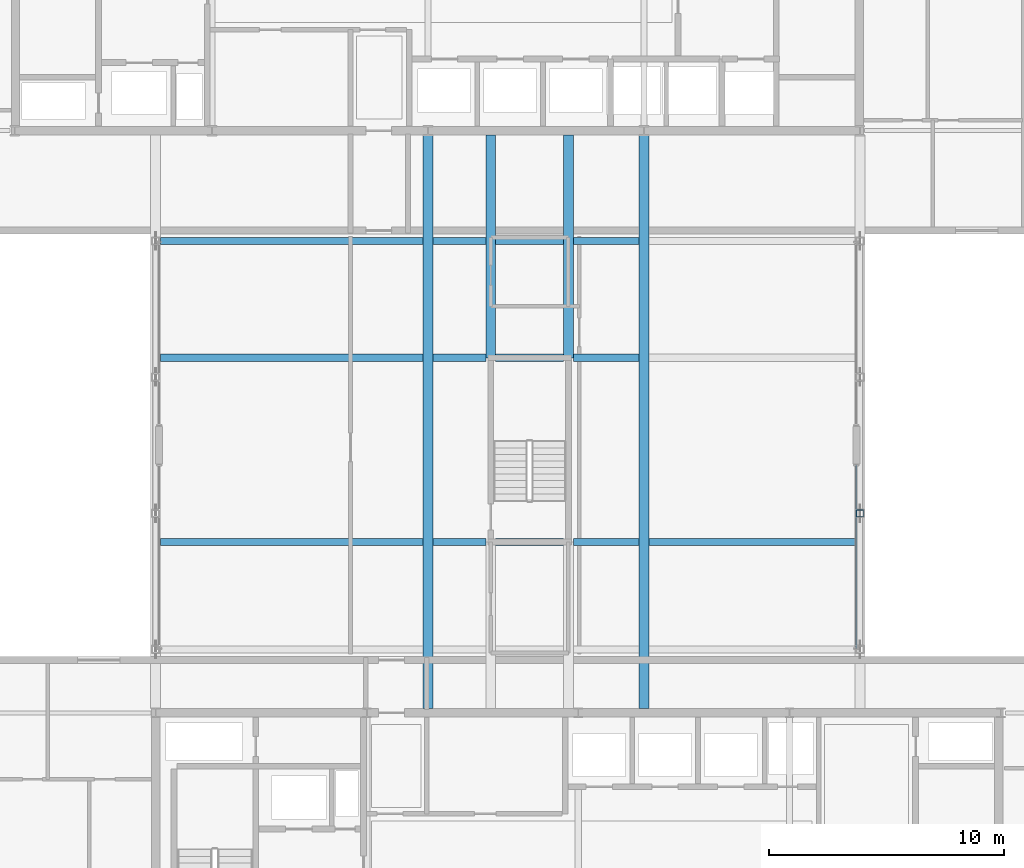
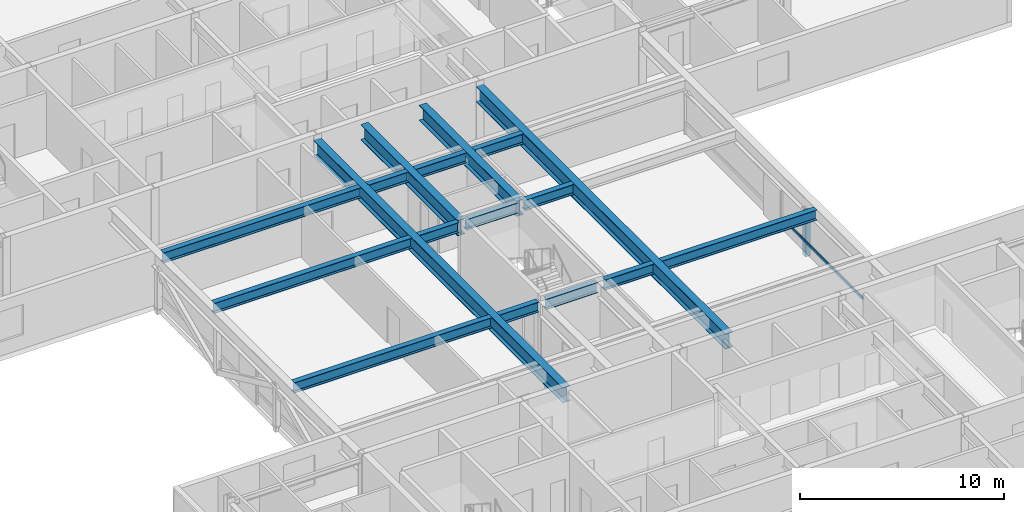
# One storey, part 9 of 35: 17 beams, 2 members, 1 element without a shape of its own.
"""IFC4 building model written with IfcOpenShell, lengths in metres."""

import ifcopenshell
import ifcopenshell.guid

model = None  # the IFC model being written
_history = None  # IfcOwnerHistory: only IFC2X3 demands one
_inside = {}  # id of a spatial element -> (the spatial element, [elements in it])
_under = {}  # id of a project, library or spatial element -> (it, [spatial elements below it])
_declared = {}  # id of a project -> (the project, [libraries it declares])
_typed = {}  # id of a type object -> (the type object, [elements of that type])
_made_of = {}  # id of a material, layer set ... -> (it, [elements and type objects made of it])


def new_model(schema):
    """Start an empty IFC model of exactly this schema.

    Asked for "IFC4X3", IfcOpenShell would pick the latest addendum, in which some entities
    have other attributes; the version numbers below select the first issue.
    IFC2X3 requires an IfcOwnerHistory on every rooted entity: one is made here for all.
    """
    global model, _history
    if schema == "IFC4X3":
        model = ifcopenshell.file(schema_version=(4, 3, 0, 0))
    else:
        model = ifcopenshell.file(schema=schema)
    _inside.clear()
    _under.clear()
    _declared.clear()
    _typed.clear()
    _made_of.clear()
    _history = None
    if model.schema == "IFC2X3":
        org = make("IfcOrganization", Name="unknown")
        user = make(
            "IfcPersonAndOrganization",
            ThePerson=make("IfcPerson", FamilyName="unknown"),
            TheOrganization=org,
        )
        app = make(
            "IfcApplication",
            ApplicationDeveloper=org,
            Version="unknown",
            ApplicationFullName="unknown",
            ApplicationIdentifier="unknown",
        )
        _history = make(
            "IfcOwnerHistory",
            OwningUser=user,
            OwningApplication=app,
            ChangeAction="ADDED",
            CreationDate=0,
        )
    return model


def make(cls, **values):
    """One entity of the class cls with the attributes given. An attribute that is None is left unset."""
    return model.create_entity(
        cls, **{name: value for name, value in values.items() if value is not None}
    )


def rooted(cls, **values):
    """An entity with a GlobalId (a new one), such as an element, a storey or a relation."""
    return make(cls, GlobalId=ifcopenshell.guid.new(), OwnerHistory=_history, **values)


def si_unit(unit_type, name, prefix=None):
    """IfcSIUnit, for example si_unit("LENGTHUNIT", "METRE", prefix="MILLI")."""
    return make("IfcSIUnit", UnitType=unit_type, Prefix=prefix, Name=name)


def assignment(units):
    """IfcUnitAssignment: the units of a project."""
    return None if units is None else make("IfcUnitAssignment", Units=units)


def point(xyz):
    """IfcCartesianPoint."""
    return None if xyz is None else make("IfcCartesianPoint", Coordinates=xyz)


def direction(xyz):
    """IfcDirection."""
    return None if xyz is None else make("IfcDirection", DirectionRatios=xyz)


def frame(location, z_axis=None, x_axis=None):
    """IfcAxis2Placement3D, a coordinate frame: its origin and axes. An axis left out is left unset."""
    return make(
        "IfcAxis2Placement3D",
        Location=point(location),
        Axis=direction(z_axis),
        RefDirection=direction(x_axis),
    )


def frame_2d(location, x_axis=None):
    """IfcAxis2Placement2D, a coordinate frame in the plane: its origin and x axis."""
    return make(
        "IfcAxis2Placement2D", Location=point(location), RefDirection=direction(x_axis)
    )


def origin():
    """The frame at (0, 0, 0) with its axes left unset."""
    return frame((0.0, 0.0, 0.0))


def origin_2d():
    """The frame at (0, 0) in the plane with its x axis left unset."""
    return frame_2d((0.0, 0.0))


def place(relative_to, where):
    """IfcLocalPlacement: puts the frame where relative to a parent placement (None: the world)."""
    return make(
        "IfcLocalPlacement", PlacementRelTo=relative_to, RelativePlacement=where
    )


def context(
    kind, dimensions, precision=None, world=None, true_north=None, identifier=None
):
    """IfcGeometricRepresentationContext, for example the 3D "Model" context."""
    return make(
        "IfcGeometricRepresentationContext",
        ContextIdentifier=identifier,
        ContextType=kind,
        CoordinateSpaceDimension=dimensions,
        Precision=precision,
        WorldCoordinateSystem=world,
        TrueNorth=true_north,
    )


def subcontext(parent, identifier, kind, view, scale=None):
    """IfcGeometricRepresentationSubContext, for example "Body" below "Model"."""
    return make(
        "IfcGeometricRepresentationSubContext",
        ContextIdentifier=identifier,
        ContextType=kind,
        ParentContext=parent,
        TargetScale=scale,
        TargetView=view,
    )


def project(units=None, contexts=None):
    """IfcProject with its units and contexts."""
    return rooted(
        "IfcProject",
        Name="project",
        RepresentationContexts=contexts,
        UnitsInContext=assignment(units),
    )


def spatial(cls, under=None, at=None, **own):
    """A site, building, storey or space (cls), placed at a placement, below another one or the project."""
    s = rooted(cls, ObjectPlacement=at, **own)
    if under is not None:
        _under.setdefault(under.id(), (under, []))[1].append(s)
    return s


def profile(cls, at=None, kind="AREA", **sizes):
    """A parametric profile (cls). Its sizes go by their IFC names, for example OverallWidth=200.0."""
    return make(cls, ProfileType=kind, Position=at, **sizes)


def hollow_rectangle(**sizes):
    """IfcRectangleHollowProfileDef."""
    return profile("IfcRectangleHollowProfileDef", **sizes)


def i_section(**sizes):
    """IfcIShapeProfileDef."""
    return profile("IfcIShapeProfileDef", **sizes)


def extrude(swept, where, along, depth):
    """IfcExtrudedAreaSolid: the profile swept, set in the frame where, extruded along a direction by depth."""
    return make(
        "IfcExtrudedAreaSolid",
        SweptArea=swept,
        Position=where,
        ExtrudedDirection=direction(along),
        Depth=depth,
    )


def shape(context_of_items, identifier, shape_type, items):
    """IfcShapeRepresentation: the items that make up one representation, for example the "Body"."""
    return make(
        "IfcShapeRepresentation",
        ContextOfItems=context_of_items,
        RepresentationIdentifier=identifier,
        RepresentationType=shape_type,
        Items=items,
    )


def material(Name=None, Category=None):
    """IfcMaterial."""
    return make("IfcMaterial", Name=Name, Category=Category)


def layer(
    of_material, thickness, ventilated=None, Name=None, Category=None, Priority=None
):
    """IfcMaterialLayer: one layer of a wall or slab, of a material (None: an air gap)."""
    return make(
        "IfcMaterialLayer",
        Material=of_material,
        LayerThickness=thickness,
        IsVentilated=ventilated,
        Name=Name,
        Category=Category,
        Priority=Priority,
    )


def layer_set(layers, Name=None):
    """IfcMaterialLayerSet."""
    return make("IfcMaterialLayerSet", MaterialLayers=layers, LayerSetName=Name)


def material_profile(
    of_material, cross_section, Name=None, Category=None, Priority=None
):
    """IfcMaterialProfile: a cross section and its material."""
    return make(
        "IfcMaterialProfile",
        Name=Name,
        Material=of_material,
        Profile=cross_section,
        Priority=Priority,
        Category=Category,
    )


def profile_set(profiles, Name=None, composite=None):
    """IfcMaterialProfileSet."""
    return make(
        "IfcMaterialProfileSet",
        Name=Name,
        MaterialProfiles=profiles,
        CompositeProfile=composite,
    )


def made_of(thing, what):
    """Note that an element or type object is made of a material, layer set ...; save() writes the relation."""
    if what is not None:
        _made_of.setdefault(what.id(), (what, []))[1].append(thing)
    return thing


def type_object(cls, material=None, **own):
    """A type object (cls), such as IfcWallType, which elements share."""
    return made_of(rooted(cls, **own), material)


def element(
    cls,
    number,
    at=None,
    inside=None,
    cuts=None,
    type_object=None,
    material=None,
    context=None,
    identifier="Body",
    shape_type=None,
    held_by="IfcProductDefinitionShape",
    body=None,
    shapes=None,
    **own,
):
    """One element of the class cls, such as IfcWall. Its Tag is "e" and its number.

    at: its placement. inside: the storey or other place that contains it. cuts: it is an
    opening in that element (IfcRelVoidsElement). A single representation is given by context,
    identifier, shape_type and body (its items); several are given by shapes. held_by: the class
    of the entity that holds the representations. save() writes the other relations.
    """
    e = rooted(cls, Tag="e%d" % number, ObjectPlacement=at, **own)
    if body is not None:
        shapes = [shape(context, identifier, shape_type, body)]
    if shapes is not None:
        e.Representation = make(held_by, Representations=shapes)
    if inside is not None:
        _inside.setdefault(inside.id(), (inside, []))[1].append(e)
    if cuts is not None:
        rooted(
            "IfcRelVoidsElement", RelatingBuildingElement=cuts, RelatedOpeningElement=e
        )
    if type_object is not None:
        _typed.setdefault(type_object.id(), (type_object, []))[1].append(e)
    return made_of(e, material)


def aggregate(whole, parts):
    """IfcRelAggregates: a whole, such as a stair, and the parts it consists of."""
    return rooted("IfcRelAggregates", RelatingObject=whole, RelatedObjects=parts)


def save(model, path):
    """Write the relations noted so far, then the file.

    IfcRelAggregates (storeys below a building ...), IfcRelContainedInSpatialStructure (elements
    in a storey), IfcRelDefinesByType, IfcRelAssociatesMaterial and IfcRelDeclares: one each for
    every whole, place, type object, material and project.
    """
    for whole, parts in _under.values():
        aggregate(whole, parts)
    for where, things in _inside.values():
        rooted(
            "IfcRelContainedInSpatialStructure",
            RelatedElements=things,
            RelatingStructure=where,
        )
    for kind, things in _typed.values():
        rooted("IfcRelDefinesByType", RelatedObjects=things, RelatingType=kind)
    for what, things in _made_of.values():
        rooted("IfcRelAssociatesMaterial", RelatedObjects=things, RelatingMaterial=what)
    for by, libraries in _declared.values():
        rooted("IfcRelDeclares", RelatingContext=by, RelatedDefinitions=libraries)
    model.write(path)


model = new_model("IFC4")

# Units and contexts
model_context = context("Model", 3, precision=1e-05, world=origin(), true_north=direction((0.0, 1.0)))
body_context = subcontext(model_context, "Body", "Model", "MODEL_VIEW")
ifc_project = project(units=[si_unit("LENGTHUNIT", "METRE"), si_unit("AREAUNIT", "SQUARE_METRE"), si_unit("VOLUMEUNIT", "CUBIC_METRE"), si_unit("PLANEANGLEUNIT", "RADIAN"), si_unit("MASSUNIT", "GRAM", prefix="KILO")], contexts=[model_context])

# Site, building, storey
site_placement = place(None, origin())
site = spatial("IfcSite", under=ifc_project, at=site_placement, CompositionType="ELEMENT")
building_placement = place(site_placement, origin())
building = spatial("IfcBuilding", under=site, at=building_placement, Name="Korimba Cascade Residences", CompositionType="ELEMENT")
storey_placement = place(building_placement, frame((0.0, 0.0, 150.10009765625)))
storey = spatial("IfcBuildingStorey", under=building, at=storey_placement, Name="L43", CompositionType="ELEMENT", Elevation=150.10009765625)

# Beams
ifc_material_1 = material(Name="Steel S355", Category="steel")
ifc_material_profile_1 = material_profile(ifc_material_1, i_section(OverallWidth=0.30712890625, OverallDepth=0.6201171875, WebThickness=0.01416015625, FlangeThickness=0.023681640625, FilletRadius=0.0166015625, at=origin_2d()), Name="Steel S355")
ifc_profile_set_1 = profile_set([ifc_material_profile_1], Name="Steel S355")
beam_type_1 = type_object("IfcBeamType", Name="BM-STL-UB610A", PredefinedType="BEAM", material=ifc_profile_set_1)
beam_1_placement = place(storey_placement, frame((82.30908203125, 37.675048828125, 2.999755859375), z_axis=(1.0, 0.0, 0.0), x_axis=(0.0, 1.0, 0.0)))
element("IfcBeam", 1, at=beam_1_placement, inside=storey, type_object=beam_type_1, Name="L43 Mid-Bridge Cross Beam 37.1", PredefinedType="BEAM", context=body_context, shape_type="SweptSolid", body=[
    extrude(i_section(OverallWidth=0.30712890625, OverallDepth=0.6201171875, WebThickness=0.01416015625, FlangeThickness=0.023681640625, FilletRadius=0.0166015625, at=origin_2d()), origin(), (0.0, 0.0, 1.0), 11.181884765625),
])
beam_2_placement = place(storey_placement, frame((93.908935546875, 37.675048828125, 2.999755859375), z_axis=(1.0, 0.0, 0.0), x_axis=(0.0, 1.0, 0.0)))
element("IfcBeam", 2, at=beam_2_placement, inside=storey, type_object=beam_type_1, Name="L43 Mid-Bridge Cross Beam 37.2", PredefinedType="BEAM", context=body_context, shape_type="SweptSolid", body=[
    extrude(i_section(OverallWidth=0.30712890625, OverallDepth=0.6201171875, WebThickness=0.01416015625, FlangeThickness=0.023681640625, FilletRadius=0.0166015625, at=origin_2d()), origin(), (0.0, 0.0, 1.0), 2.257080078125),
])
beam_3_placement = place(storey_placement, frame((96.583984375, 37.675048828125, 2.999755859375), z_axis=(1.0, 0.0, 0.0), x_axis=(0.0, 1.0, 0.0)))
element("IfcBeam", 3, at=beam_3_placement, inside=storey, type_object=beam_type_1, Name="L43 Mid-Bridge Cross Beam 37.3", PredefinedType="BEAM", context=body_context, shape_type="SweptSolid", body=[
    extrude(i_section(OverallWidth=0.30712890625, OverallDepth=0.6201171875, WebThickness=0.01416015625, FlangeThickness=0.023681640625, FilletRadius=0.0166015625, at=origin_2d()), origin(), (0.0, 0.0, 1.0), 2.89208984375),
])
beam_4_placement = place(storey_placement, frame((99.89404296875, 37.675048828125, 2.999755859375), z_axis=(1.0, 0.0, 0.0), x_axis=(0.0, 1.0, 0.0)))
element("IfcBeam", 4, at=beam_4_placement, inside=storey, type_object=beam_type_1, Name="L43 Mid-Bridge Cross Beam 37.4", PredefinedType="BEAM", context=body_context, shape_type="SweptSolid", body=[
    extrude(i_section(OverallWidth=0.30712890625, OverallDepth=0.6201171875, WebThickness=0.01416015625, FlangeThickness=0.023681640625, FilletRadius=0.0166015625, at=origin_2d()), origin(), (0.0, 0.0, 1.0), 2.796875),
])
beam_5_placement = place(storey_placement, frame((103.10888671875, 37.675048828125, 2.999755859375), z_axis=(1.0, 0.0, 0.0), x_axis=(0.0, 1.0, 0.0)))
element("IfcBeam", 5, at=beam_5_placement, inside=storey, type_object=beam_type_1, Name="L43 Mid-Bridge Cross Beam 37.5", PredefinedType="BEAM", context=body_context, shape_type="SweptSolid", body=[
    extrude(i_section(OverallWidth=0.30712890625, OverallDepth=0.6201171875, WebThickness=0.01416015625, FlangeThickness=0.023681640625, FilletRadius=0.0166015625, at=origin_2d()), origin(), (0.0, 0.0, 1.0), 8.7822265625),
])
beam_6_placement = place(storey_placement, frame((82.30908203125, 45.52490234375, 2.999755859375), z_axis=(1.0, 0.0, 0.0), x_axis=(0.0, 1.0, 0.0)))
element("IfcBeam", 6, at=beam_6_placement, inside=storey, type_object=beam_type_1, Name="L43 Mid-Bridge Cross Beam 45.1", PredefinedType="BEAM", context=body_context, shape_type="SweptSolid", body=[
    extrude(i_section(OverallWidth=0.30712890625, OverallDepth=0.6201171875, WebThickness=0.01416015625, FlangeThickness=0.023681640625, FilletRadius=0.0166015625, at=origin_2d()), origin(), (0.0, 0.0, 1.0), 11.181884765625),
])
beam_7_placement = place(storey_placement, frame((93.908935546875, 45.52490234375, 2.999755859375), z_axis=(1.0, 0.0, 0.0), x_axis=(0.0, 1.0, 0.0)))
element("IfcBeam", 7, at=beam_7_placement, inside=storey, type_object=beam_type_1, Name="L43 Mid-Bridge Cross Beam 45.2", PredefinedType="BEAM", context=body_context, shape_type="SweptSolid", body=[
    extrude(i_section(OverallWidth=0.30712890625, OverallDepth=0.6201171875, WebThickness=0.01416015625, FlangeThickness=0.023681640625, FilletRadius=0.0166015625, at=origin_2d()), origin(), (0.0, 0.0, 1.0), 2.257080078125),
])
beam_8_placement = place(storey_placement, frame((96.583984375, 45.52490234375, 2.999755859375), z_axis=(1.0, 0.0, 0.0), x_axis=(0.0, 1.0, 0.0)))
element("IfcBeam", 8, at=beam_8_placement, inside=storey, type_object=beam_type_1, Name="L43 Mid-Bridge Cross Beam 45.3", PredefinedType="BEAM", context=body_context, shape_type="SweptSolid", body=[
    extrude(i_section(OverallWidth=0.30712890625, OverallDepth=0.6201171875, WebThickness=0.01416015625, FlangeThickness=0.023681640625, FilletRadius=0.0166015625, at=origin_2d()), origin(), (0.0, 0.0, 1.0), 2.89208984375),
])
beam_9_placement = place(storey_placement, frame((99.89404296875, 45.52490234375, 2.999755859375), z_axis=(1.0, 0.0, 0.0), x_axis=(0.0, 1.0, 0.0)))
element("IfcBeam", 9, at=beam_9_placement, inside=storey, type_object=beam_type_1, Name="L43 Mid-Bridge Cross Beam 45.4", PredefinedType="BEAM", context=body_context, shape_type="SweptSolid", body=[
    extrude(i_section(OverallWidth=0.30712890625, OverallDepth=0.6201171875, WebThickness=0.01416015625, FlangeThickness=0.023681640625, FilletRadius=0.0166015625, at=origin_2d()), origin(), (0.0, 0.0, 1.0), 2.796875),
])
beam_10_placement = place(storey_placement, frame((82.30908203125, 50.5, 2.999755859375), z_axis=(1.0, 0.0, 0.0), x_axis=(0.0, 1.0, 0.0)))
element("IfcBeam", 10, at=beam_10_placement, inside=storey, type_object=beam_type_1, Name="L43 Mid-Bridge Cross Beam 50.1", PredefinedType="BEAM", context=body_context, shape_type="SweptSolid", body=[
    extrude(i_section(OverallWidth=0.30712890625, OverallDepth=0.6201171875, WebThickness=0.01416015625, FlangeThickness=0.023681640625, FilletRadius=0.0166015625, at=origin_2d()), origin(), (0.0, 0.0, 1.0), 11.181884765625),
])
beam_11_placement = place(storey_placement, frame((93.908935546875, 50.5, 2.999755859375), z_axis=(1.0, 0.0, 0.0), x_axis=(0.0, 1.0, 0.0)))
element("IfcBeam", 11, at=beam_11_placement, inside=storey, type_object=beam_type_1, Name="L43 Mid-Bridge Cross Beam 50.2", PredefinedType="BEAM", context=body_context, shape_type="SweptSolid", body=[
    extrude(i_section(OverallWidth=0.30712890625, OverallDepth=0.6201171875, WebThickness=0.01416015625, FlangeThickness=0.023681640625, FilletRadius=0.0166015625, at=origin_2d()), origin(), (0.0, 0.0, 1.0), 2.257080078125),
])
beam_12_placement = place(storey_placement, frame((96.583984375, 50.5, 2.999755859375), z_axis=(1.0, 0.0, 0.0), x_axis=(0.0, 1.0, 0.0)))
element("IfcBeam", 12, at=beam_12_placement, inside=storey, type_object=beam_type_1, Name="L43 Mid-Bridge Cross Beam 50.3", PredefinedType="BEAM", context=body_context, shape_type="SweptSolid", body=[
    extrude(i_section(OverallWidth=0.30712890625, OverallDepth=0.6201171875, WebThickness=0.01416015625, FlangeThickness=0.023681640625, FilletRadius=0.0166015625, at=origin_2d()), origin(), (0.0, 0.0, 1.0), 2.89208984375),
])
beam_13_placement = place(storey_placement, frame((99.89404296875, 50.5, 2.999755859375), z_axis=(1.0, 0.0, 0.0), x_axis=(0.0, 1.0, 0.0)))
element("IfcBeam", 13, at=beam_13_placement, inside=storey, type_object=beam_type_1, Name="L43 Mid-Bridge Cross Beam 50.4", PredefinedType="BEAM", context=body_context, shape_type="SweptSolid", body=[
    extrude(i_section(OverallWidth=0.30712890625, OverallDepth=0.6201171875, WebThickness=0.01416015625, FlangeThickness=0.023681640625, FilletRadius=0.0166015625, at=origin_2d()), origin(), (0.0, 0.0, 1.0), 2.796875),
])
ifc_material_2 = material(Name="Steel S460", Category="steel")
ifc_material_profile_2 = material_profile(ifc_material_2, i_section(OverallWidth=0.42041015625, OverallDepth=0.9208984375, WebThickness=0.021484375, FlangeThickness=0.03662109375, FilletRadius=0.02392578125, at=origin_2d()), Name="Steel S460")
ifc_profile_set_2 = profile_set([ifc_material_profile_2], Name="Steel S460")
beam_type_2 = type_object("IfcBeamType", Name="BM-STL-UB914A", PredefinedType="BEAM", material=ifc_profile_set_2)
beam_14_placement = place(storey_placement, frame((93.699951171875, 30.574951171875, 2.849365234375), z_axis=(0.0, 1.0, 0.0), x_axis=(-1.0, 0.0, 0.0)))
element("IfcBeam", 14, at=beam_14_placement, inside=storey, type_object=beam_type_2, Name="L43 Rigid Mid-Bridge Truss Chord 2", PredefinedType="BEAM", context=body_context, shape_type="SweptSolid", body=[
    extrude(i_section(OverallWidth=0.42041015625, OverallDepth=0.9208984375, WebThickness=0.021484375, FlangeThickness=0.03662109375, FilletRadius=0.02392578125, at=origin_2d()), origin(), (0.0, 0.0, 1.0), 24.449951171875),
])
for number, where, z_axis, x_axis, name in (
    (15, (96.375, 45.52490234375, 2.849365234375), (0.0, 1.0, 0.0), (-1.0, 0.0, 0.0), "L43 Rigid Mid-Bridge Truss Chord 3"),
    (16, (99.68505859375, 45.52490234375, 2.849365234375), (0.0, 1.0, 0.0), (-1.0, 0.0, 0.0), "L43 Rigid Mid-Bridge Truss Chord 4"),
):
    element("IfcBeam", number, at=place(storey_placement, frame(where, z_axis=z_axis, x_axis=x_axis)), inside=storey, type_object=beam_type_2, Name=name, PredefinedType="BEAM", context=body_context, shape_type="SweptSolid", body=[
        extrude(i_section(OverallWidth=0.42041015625, OverallDepth=0.9208984375, WebThickness=0.021484375, FlangeThickness=0.03662109375, FilletRadius=0.02392578125, at=origin_2d()), origin(), (0.0, 0.0, 1.0), 9.5),
    ])
beam_15_placement = place(storey_placement, frame((102.89990234375, 30.574951171875, 2.849365234375), z_axis=(0.0, 1.0, 0.0), x_axis=(-1.0, 0.0, 0.0)))
element("IfcBeam", 17, at=beam_15_placement, inside=storey, type_object=beam_type_2, Name="L43 Rigid Mid-Bridge Truss Chord 5", PredefinedType="BEAM", context=body_context, shape_type="SweptSolid", body=[
    extrude(i_section(OverallWidth=0.42041015625, OverallDepth=0.9208984375, WebThickness=0.021484375, FlangeThickness=0.03662109375, FilletRadius=0.02392578125, at=origin_2d()), origin(), (0.0, 0.0, 1.0), 24.449951171875),
])

# Curtain wall, member
ifc_material_3 = material(Name="Anodised Aluminium Curtain Wall Framing", Category="aluminium")
ifc_layer = layer(ifc_material_3, 0.179931640625)
ifc_layer_set = layer_set([ifc_layer], Name="Anodised Aluminium Curtain Wall Framing")
curtain_wall_type = type_object("IfcCurtainWallType", Name="CW-OBS-SYS4", PredefinedType="NOTDEFINED", material=ifc_layer_set)
curtain_wall_placement = place(storey_placement, origin())
curtain_wall = element("IfcCurtainWall", 18, at=curtain_wall_placement, inside=storey, type_object=curtain_wall_type, Name="L43 Curtain Wall CW-L43-BRG-E1", PredefinedType="NOTDEFINED")
ifc_material_4 = material(Name="Anodised Aluminium Transom", Category="aluminium")
ifc_material_profile_3 = material_profile(ifc_material_4, hollow_rectangle(XDim=0.070068359375, YDim=0.179931640625, WallThickness=0.0048828125, InnerFilletRadius=0.0048828125, OuterFilletRadius=0.010009765625, at=origin_2d()), Name="Anodised Aluminium Transom")
ifc_profile_set_3 = profile_set([ifc_material_profile_3], Name="Anodised Aluminium Transom")
member_type_1 = type_object("IfcMemberType", Name="CWM-TRN-150", PredefinedType="USERDEFINED", material=ifc_profile_set_3)
member_1_placement = place(storey_placement, frame((111.949951171875, 33.139892578125, 0.666259765625), z_axis=(0.0, 1.0, 0.0), x_axis=(-1.0, 0.0, 0.0)))
member_1 = element("IfcMember", 19, at=member_1_placement, type_object=member_type_1, Name="CW-L43-BRG-E1 Transom 1", ObjectType="TRANSOM", PredefinedType="USERDEFINED", context=body_context, shape_type="SweptSolid", body=[
    extrude(hollow_rectangle(XDim=0.070068359375, YDim=0.179931640625, WallThickness=0.0048828125, InnerFilletRadius=0.0048828125, OuterFilletRadius=0.010009765625, at=origin_2d()), origin(), (0.0, 0.0, 1.0), 7.820068359375),
])
aggregate(curtain_wall, [member_1])

# Member
ifc_material_profile_4 = material_profile(ifc_material_2, hollow_rectangle(XDim=0.300048828125, YDim=0.300048828125, WallThickness=0.012451171875, InnerFilletRadius=0.012451171875, OuterFilletRadius=0.02490234375, at=origin_2d()), Name="Steel S460")
ifc_profile_set_4 = profile_set([ifc_material_profile_4], Name="Steel S460")
member_type_2 = type_object("IfcMemberType", Name="MEM-BRG-STR300", PredefinedType="STRUT", material=ifc_profile_set_4)
member_2_placement = place(storey_placement, frame((112.10009765625, 38.89990234375, -0.2900390625), z_axis=(0.0, 0.0, 1.0), x_axis=(1.0, 0.0, 0.0)))
element("IfcMember", 20, at=member_2_placement, inside=storey, type_object=member_type_2, Name="L43 Mid-Bridge Warren Web Post E2", PredefinedType="STRUT", context=body_context, shape_type="SweptSolid", body=[
    extrude(hollow_rectangle(XDim=0.300048828125, YDim=0.300048828125, WallThickness=0.012451171875, InnerFilletRadius=0.012451171875, OuterFilletRadius=0.02490234375, at=origin_2d()), origin(), (0.0, 0.0, 1.0), 2.678955078125),
])

save(model, "model.ifc")
